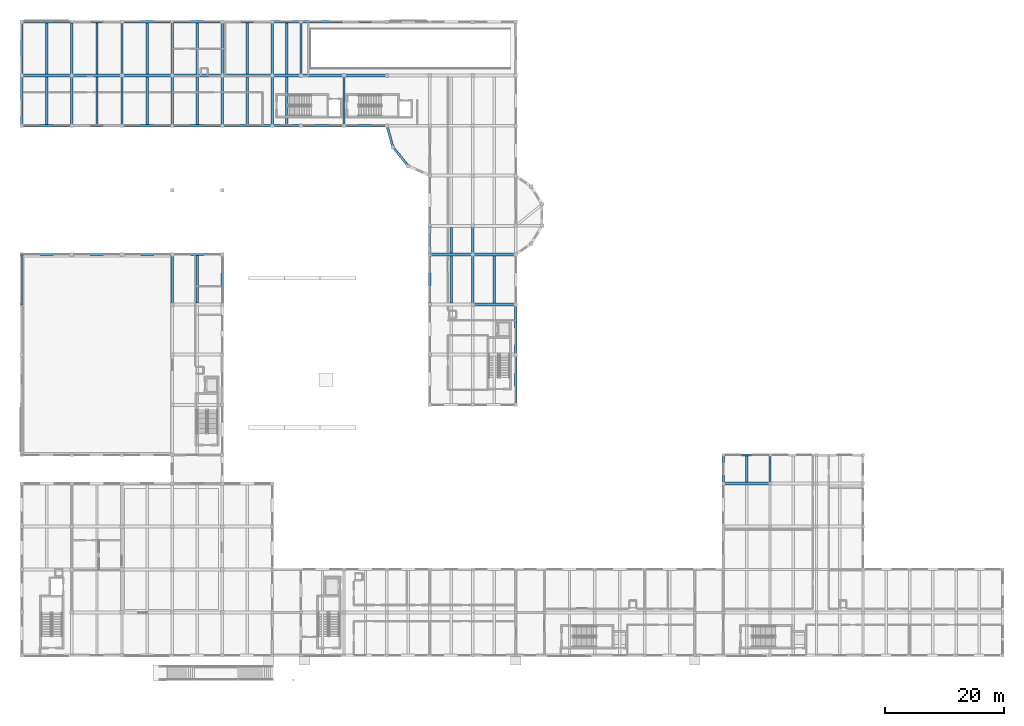
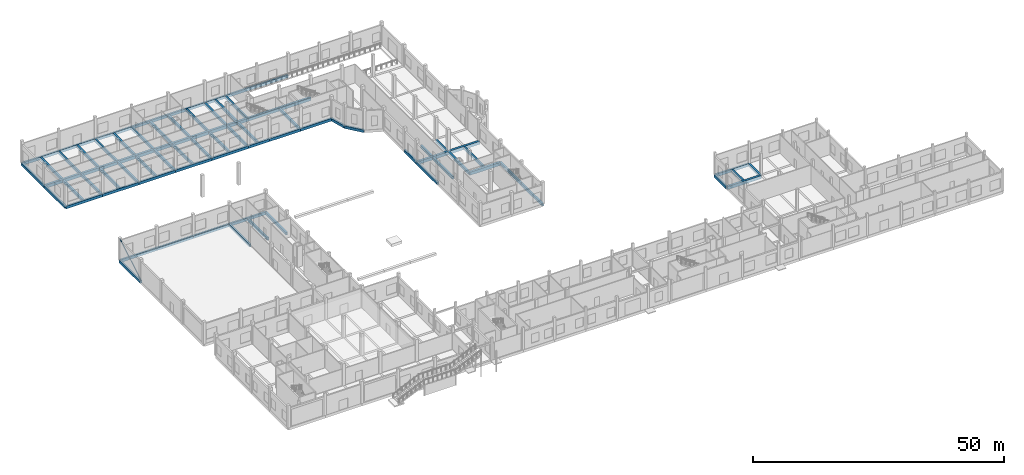
# One storey, part 11 of 41: 77 beams, 1 member.
"""IFC4 building model written with IfcOpenShell, lengths in metres."""

from ifc_helpers import new_model, si_unit, direction, frame, origin, origin_2d, place, context, subcontext, project, spatial, rectangle, hollow_circle, extrude, material, material_profile, profile_set, type_object, element, save


model = new_model("IFC4")

# Units and contexts
model_context = context("Model", 3, precision=1e-05, world=origin(), true_north=direction((0.0, 1.0)))
body_context = subcontext(model_context, "Body", "Model", "MODEL_VIEW")
ifc_project = project(units=[si_unit("LENGTHUNIT", "METRE"), si_unit("AREAUNIT", "SQUARE_METRE"), si_unit("VOLUMEUNIT", "CUBIC_METRE"), si_unit("PLANEANGLEUNIT", "RADIAN"), si_unit("MASSUNIT", "GRAM", prefix="KILO")], contexts=[model_context])

# Site, building, storey
site_placement = place(None, origin())
site = spatial("IfcSite", under=ifc_project, at=site_placement, CompositionType="ELEMENT")
building_placement = place(site_placement, origin())
building = spatial("IfcBuilding", under=site, at=building_placement, Name="Kahlenmark Community Centre", CompositionType="ELEMENT")
storey_placement = place(building_placement, origin())
storey = spatial("IfcBuildingStorey", under=building, at=storey_placement, Name="L00", CompositionType="ELEMENT", Elevation=0.0)

# Beams
ifc_material_1 = material(Name="Concrete C35/45", Category="concrete")
ifc_material_profile_1 = material_profile(ifc_material_1, rectangle(XDim=0.39990234375, YDim=0.64990234375, at=origin_2d()), Name="RC 400x650")
ifc_profile_set_1 = profile_set([ifc_material_profile_1], Name="Concrete C35/45")
beam_type_1 = type_object("IfcBeamType", Name="BT-BEAM-RC400x650", PredefinedType="BEAM", material=ifc_profile_set_1)
for number, where, z_axis, x_axis, name in (
    (1, (29.199951171875, 67.60009765625, -0.324951171875), (0.0, 1.0, 0.0), (-1.0, 0.0, 0.0), "L00 beam BG-RC400x650"),
    (2, (12.39990234375, 97.60009765625, -0.324951171875), (0.0, 1.0, 0.0), (-1.0, 0.0, 0.0), "L00 beam BG-RC400x650"),
):
    element("IfcBeam", number, at=place(storey_placement, frame(where, z_axis=z_axis, x_axis=x_axis)), inside=storey, type_object=beam_type_1, Name=name, PredefinedType="BEAM", context=body_context, shape_type="SweptSolid", body=[
        extrude(rectangle(XDim=0.39990234375, YDim=0.64990234375, at=origin_2d()), origin(), (0.0, 0.0, 1.0), 8.39990234375),
    ])
beam_1_placement = place(storey_placement, frame((12.39990234375, 106.0, -0.324951171875), z_axis=(0.0, 1.0, 0.0), x_axis=(-1.0, 0.0, 0.0)))
element("IfcBeam", 3, at=beam_1_placement, inside=storey, type_object=beam_type_1, Name="L00 beam BG-RC400x650", PredefinedType="BEAM", context=body_context, shape_type="SweptSolid", body=[
    extrude(rectangle(XDim=0.39990234375, YDim=0.64990234375, at=origin_2d()), origin(), (0.0, 0.0, 1.0), 9.0),
])
beam_2_placement = place(storey_placement, frame((20.800048828125, 97.60009765625, -0.324951171875), z_axis=(0.0, 1.0, 0.0), x_axis=(-1.0, 0.0, 0.0)))
element("IfcBeam", 4, at=beam_2_placement, inside=storey, type_object=beam_type_1, Name="L00 beam BG-RC400x650", PredefinedType="BEAM", context=body_context, shape_type="SweptSolid", body=[
    extrude(rectangle(XDim=0.39990234375, YDim=0.64990234375, at=origin_2d()), origin(), (0.0, 0.0, 1.0), 8.39990234375),
])
beam_3_placement = place(storey_placement, frame((20.800048828125, 106.0, -0.324951171875), z_axis=(0.0, 1.0, 0.0), x_axis=(-1.0, 0.0, 0.0)))
element("IfcBeam", 5, at=beam_3_placement, inside=storey, type_object=beam_type_1, Name="L00 beam BG-RC400x650", PredefinedType="BEAM", context=body_context, shape_type="SweptSolid", body=[
    extrude(rectangle(XDim=0.39990234375, YDim=0.64990234375, at=origin_2d()), origin(), (0.0, 0.0, 1.0), 9.0),
])
beam_4_placement = place(storey_placement, frame((29.199951171875, 97.60009765625, -0.324951171875), z_axis=(0.0, 1.0, 0.0), x_axis=(-1.0, 0.0, 0.0)))
element("IfcBeam", 6, at=beam_4_placement, inside=storey, type_object=beam_type_1, Name="L00 beam BG-RC400x650", PredefinedType="BEAM", context=body_context, shape_type="SweptSolid", body=[
    extrude(rectangle(XDim=0.39990234375, YDim=0.64990234375, at=origin_2d()), origin(), (0.0, 0.0, 1.0), 8.39990234375),
])
beam_5_placement = place(storey_placement, frame((29.199951171875, 106.0, -0.324951171875), z_axis=(0.0, 1.0, 0.0), x_axis=(-1.0, 0.0, 0.0)))
element("IfcBeam", 7, at=beam_5_placement, inside=storey, type_object=beam_type_1, Name="L00 beam BG-RC400x650", PredefinedType="BEAM", context=body_context, shape_type="SweptSolid", body=[
    extrude(rectangle(XDim=0.39990234375, YDim=0.64990234375, at=origin_2d()), origin(), (0.0, 0.0, 1.0), 9.0),
])
beam_6_placement = place(storey_placement, frame((37.60009765625, 97.60009765625, -0.324951171875), z_axis=(0.0, 1.0, 0.0), x_axis=(-1.0, 0.0, 0.0)))
element("IfcBeam", 8, at=beam_6_placement, inside=storey, type_object=beam_type_1, Name="L00 beam BG-RC400x650", PredefinedType="BEAM", context=body_context, shape_type="SweptSolid", body=[
    extrude(rectangle(XDim=0.39990234375, YDim=0.64990234375, at=origin_2d()), origin(), (0.0, 0.0, 1.0), 8.39990234375),
])
beam_7_placement = place(storey_placement, frame((37.60009765625, 106.0, -0.324951171875), z_axis=(0.0, 1.0, 0.0), x_axis=(-1.0, 0.0, 0.0)))
element("IfcBeam", 9, at=beam_7_placement, inside=storey, type_object=beam_type_1, Name="L00 beam BG-RC400x650", PredefinedType="BEAM", context=body_context, shape_type="SweptSolid", body=[
    extrude(rectangle(XDim=0.39990234375, YDim=0.64990234375, at=origin_2d()), origin(), (0.0, 0.0, 1.0), 9.0),
])
beam_8_placement = place(storey_placement, frame((46.0, 97.60009765625, -0.324951171875), z_axis=(0.0, 1.0, 0.0), x_axis=(-1.0, 0.0, 0.0)))
element("IfcBeam", 10, at=beam_8_placement, inside=storey, type_object=beam_type_1, Name="L00 beam BG-RC400x650", PredefinedType="BEAM", context=body_context, shape_type="SweptSolid", body=[
    extrude(rectangle(XDim=0.39990234375, YDim=0.64990234375, at=origin_2d()), origin(), (0.0, 0.0, 1.0), 8.39990234375),
])
for number, where, z_axis, x_axis, name in (
    (11, (46.0, 106.0, -0.324951171875), (0.0, 1.0, 0.0), (-1.0, 0.0, 0.0), "L00 beam BG-RC400x650"),
    (12, (50.800048828125, 106.0, -0.324951171875), (0.0, 1.0, 0.0), (-1.0, 0.0, 0.0), "L00 beam BG-RC400x650"),
):
    element("IfcBeam", number, at=place(storey_placement, frame(where, z_axis=z_axis, x_axis=x_axis)), inside=storey, type_object=beam_type_1, Name=name, PredefinedType="BEAM", context=body_context, shape_type="SweptSolid", body=[
        extrude(rectangle(XDim=0.39990234375, YDim=0.64990234375, at=origin_2d()), origin(), (0.0, 0.0, 1.0), 9.0),
    ])
for number, where, z_axis, x_axis, name in (
    (13, (58.0, 97.60009765625, -0.324951171875), (0.0, 1.0, 0.0), (-1.0, 0.0, 0.0), "L00 beam BG-RC400x650"),
    (14, (79.60009765625, 67.60009765625, -0.324951171875), (0.0, 1.0, 0.0), (-1.0, 0.0, 0.0), "L00 beam BG-RC400x650"),
):
    element("IfcBeam", number, at=place(storey_placement, frame(where, z_axis=z_axis, x_axis=x_axis)), inside=storey, type_object=beam_type_1, Name=name, PredefinedType="BEAM", context=body_context, shape_type="SweptSolid", body=[
        extrude(rectangle(XDim=0.39990234375, YDim=0.64990234375, at=origin_2d()), origin(), (0.0, 0.0, 1.0), 8.39990234375),
    ])
beam_9_placement = place(storey_placement, frame((79.60009765625, 76.0, -0.324951171875), z_axis=(0.0, 1.0, 0.0), x_axis=(-1.0, 0.0, 0.0)))
element("IfcBeam", 15, at=beam_9_placement, inside=storey, type_object=beam_type_1, Name="L00 beam BG-RC400x650", PredefinedType="BEAM", context=body_context, shape_type="SweptSolid", body=[
    extrude(rectangle(XDim=0.39990234375, YDim=0.64990234375, at=origin_2d()), origin(), (0.0, 0.0, 1.0), 4.800048828125),
])
beam_10_placement = place(storey_placement, frame((129.39990234375, 37.60009765625, -0.324951171875), z_axis=(0.0, 1.0, 0.0), x_axis=(-1.0, 0.0, 0.0)))
element("IfcBeam", 16, at=beam_10_placement, inside=storey, type_object=beam_type_1, Name="L00 beam BG-RC400x650", PredefinedType="BEAM", context=body_context, shape_type="SweptSolid", body=[
    extrude(rectangle(XDim=0.39990234375, YDim=0.64990234375, at=origin_2d()), origin(), (0.0, 0.0, 1.0), 4.7998046875),
])
ifc_material_profile_2 = material_profile(ifc_material_1, rectangle(XDim=0.5, YDim=0.75, at=origin_2d()), Name="RC 500x750")
ifc_profile_set_2 = profile_set([ifc_material_profile_2], Name="Concrete C35/45")
beam_type_2 = type_object("IfcBeamType", Name="BT-BEAM-RC500x750", PredefinedType="BEAM", material=ifc_profile_set_2)
beam_11_placement = place(storey_placement, frame((4.0, 106.0, -0.375), z_axis=(1.0, 0.0, 0.0), x_axis=(0.0, 1.0, 0.0)))
element("IfcBeam", 17, at=beam_11_placement, inside=storey, type_object=beam_type_2, Name="L00 beam BG-RC500x750", PredefinedType="BEAM", context=body_context, shape_type="SweptSolid", body=[
    extrude(rectangle(XDim=0.5, YDim=0.75, at=origin_2d()), origin(), (0.0, 0.0, 1.0), 8.39990234375),
])
beam_12_placement = place(storey_placement, frame((12.39990234375, 106.0, -0.375), z_axis=(1.0, 0.0, 0.0), x_axis=(0.0, 1.0, 0.0)))
element("IfcBeam", 18, at=beam_12_placement, inside=storey, type_object=beam_type_2, Name="L00 beam BG-RC500x750", PredefinedType="BEAM", context=body_context, shape_type="SweptSolid", body=[
    extrude(rectangle(XDim=0.5, YDim=0.75, at=origin_2d()), origin(), (0.0, 0.0, 1.0), 8.400146484375),
])
beam_13_placement = place(storey_placement, frame((20.800048828125, 106.0, -0.375), z_axis=(1.0, 0.0, 0.0), x_axis=(0.0, 1.0, 0.0)))
element("IfcBeam", 19, at=beam_13_placement, inside=storey, type_object=beam_type_2, Name="L00 beam BG-RC500x750", PredefinedType="BEAM", context=body_context, shape_type="SweptSolid", body=[
    extrude(rectangle(XDim=0.5, YDim=0.75, at=origin_2d()), origin(), (0.0, 0.0, 1.0), 8.39990234375),
])
beam_14_placement = place(storey_placement, frame((29.199951171875, 106.0, -0.375), z_axis=(1.0, 0.0, 0.0), x_axis=(0.0, 1.0, 0.0)))
element("IfcBeam", 20, at=beam_14_placement, inside=storey, type_object=beam_type_2, Name="L00 beam BG-RC500x750", PredefinedType="BEAM", context=body_context, shape_type="SweptSolid", body=[
    extrude(rectangle(XDim=0.5, YDim=0.75, at=origin_2d()), origin(), (0.0, 0.0, 1.0), 8.400146484375),
])
beam_15_placement = place(storey_placement, frame((37.60009765625, 106.0, -0.375), z_axis=(1.0, 0.0, 0.0), x_axis=(0.0, 1.0, 0.0)))
element("IfcBeam", 21, at=beam_15_placement, inside=storey, type_object=beam_type_2, Name="L00 beam BG-RC500x750", PredefinedType="BEAM", context=body_context, shape_type="SweptSolid", body=[
    extrude(rectangle(XDim=0.5, YDim=0.75, at=origin_2d()), origin(), (0.0, 0.0, 1.0), 8.39990234375),
])
beam_16_placement = place(storey_placement, frame((46.0, 106.0, -0.375), z_axis=(1.0, 0.0, 0.0), x_axis=(0.0, 1.0, 0.0)))
element("IfcBeam", 22, at=beam_16_placement, inside=storey, type_object=beam_type_2, Name="L00 beam BG-RC500x750", PredefinedType="BEAM", context=body_context, shape_type="SweptSolid", body=[
    extrude(rectangle(XDim=0.5, YDim=0.75, at=origin_2d()), origin(), (0.0, 0.0, 1.0), 4.800048828125),
])
for number, where, z_axis, x_axis, name in (
    (23, (50.800048828125, 106.0, -0.375), (1.0, 0.0, 0.0), (0.0, 1.0, 0.0), "L00 beam BG-RC500x750"),
    (24, (58.0, 106.0, -0.375), (1.0, 0.0, 0.0), (0.0, 1.0, 0.0), "L00 beam BG-RC500x750"),
    (25, (79.60009765625, 67.60009765625, -0.375), (1.0, 0.0, 0.0), (0.0, 1.0, 0.0), "L00 beam BG-RC500x750"),
):
    element("IfcBeam", number, at=place(storey_placement, frame(where, z_axis=z_axis, x_axis=x_axis)), inside=storey, type_object=beam_type_2, Name=name, PredefinedType="BEAM", context=body_context, shape_type="SweptSolid", body=[
        extrude(rectangle(XDim=0.5, YDim=0.75, at=origin_2d()), origin(), (0.0, 0.0, 1.0), 7.199951171875),
    ])
beam_17_placement = place(storey_placement, frame((72.39990234375, 76.0, -0.375), z_axis=(1.0, 0.0, 0.0), x_axis=(0.0, 1.0, 0.0)))
element("IfcBeam", 26, at=beam_17_placement, inside=storey, type_object=beam_type_2, Name="L00 beam BG-RC500x750", PredefinedType="BEAM", context=body_context, shape_type="SweptSolid", body=[
    extrude(rectangle(XDim=0.5, YDim=0.75, at=origin_2d()), origin(), (0.0, 0.0, 1.0), 7.2001953125),
])
beam_18_placement = place(storey_placement, frame((79.60009765625, 76.0, -0.375), z_axis=(1.0, 0.0, 0.0), x_axis=(0.0, 1.0, 0.0)))
element("IfcBeam", 27, at=beam_18_placement, inside=storey, type_object=beam_type_2, Name="L00 beam BG-RC500x750", PredefinedType="BEAM", context=body_context, shape_type="SweptSolid", body=[
    extrude(rectangle(XDim=0.5, YDim=0.75, at=origin_2d()), origin(), (0.0, 0.0, 1.0), 7.199951171875),
])
beam_19_placement = place(storey_placement, frame((121.60009765625, 37.60009765625, -0.375), z_axis=(1.0, 0.0, 0.0), x_axis=(0.0, 1.0, 0.0)))
element("IfcBeam", 28, at=beam_19_placement, inside=storey, type_object=beam_type_2, Name="L00 beam BG-RC500x750", PredefinedType="BEAM", context=body_context, shape_type="SweptSolid", body=[
    extrude(rectangle(XDim=0.5, YDim=0.75, at=origin_2d()), origin(), (0.0, 0.0, 1.0), 7.7998046875),
])
ifc_material_profile_3 = material_profile(ifc_material_1, rectangle(XDim=0.39990234375, YDim=0.64990234375, at=origin_2d()), Name="RC 400x650")
ifc_profile_set_3 = profile_set([ifc_material_profile_3], Name="Concrete C35/45")
beam_type_3 = type_object("IfcBeamType", Name="BT-JOIST-RC400x650", PredefinedType="JOIST", material=ifc_profile_set_3)
beam_20_placement = place(storey_placement, frame((33.39990234375, 67.847900390625, -0.324951171875), z_axis=(0.0, 1.0, 0.0), x_axis=(-1.0, 0.0, 0.0)))
element("IfcBeam", 29, at=beam_20_placement, inside=storey, type_object=beam_type_3, Name="L00 joist BJ-RC400x650", PredefinedType="JOIST", context=body_context, shape_type="SweptSolid", body=[
    extrude(rectangle(XDim=0.39990234375, YDim=0.64990234375, at=origin_2d()), origin(), (0.0, 0.0, 1.0), 7.9541015625),
])
beam_21_placement = place(storey_placement, frame((8.199951171875, 97.798095703125, -0.324951171875), z_axis=(0.0, 1.0, 0.0), x_axis=(-1.0, 0.0, 0.0)))
element("IfcBeam", 30, at=beam_21_placement, inside=storey, type_object=beam_type_3, Name="L00 joist BJ-RC400x650", PredefinedType="JOIST", context=body_context, shape_type="SweptSolid", body=[
    extrude(rectangle(XDim=0.39990234375, YDim=0.64990234375, at=origin_2d()), origin(), (0.0, 0.0, 1.0), 7.953857421875),
])
beam_22_placement = place(storey_placement, frame((8.199951171875, 106.248046875, -0.324951171875), z_axis=(0.0, 1.0, 0.0), x_axis=(-1.0, 0.0, 0.0)))
element("IfcBeam", 31, at=beam_22_placement, inside=storey, type_object=beam_type_3, Name="L00 joist BJ-RC400x650", PredefinedType="JOIST", context=body_context, shape_type="SweptSolid", body=[
    extrude(rectangle(XDim=0.39990234375, YDim=0.64990234375, at=origin_2d()), origin(), (0.0, 0.0, 1.0), 8.553955078125),
])
beam_23_placement = place(storey_placement, frame((16.60009765625, 97.798095703125, -0.324951171875), z_axis=(0.0, 1.0, 0.0), x_axis=(-1.0, 0.0, 0.0)))
element("IfcBeam", 32, at=beam_23_placement, inside=storey, type_object=beam_type_3, Name="L00 joist BJ-RC400x650", PredefinedType="JOIST", context=body_context, shape_type="SweptSolid", body=[
    extrude(rectangle(XDim=0.39990234375, YDim=0.64990234375, at=origin_2d()), origin(), (0.0, 0.0, 1.0), 7.953857421875),
])
beam_24_placement = place(storey_placement, frame((16.60009765625, 106.248046875, -0.324951171875), z_axis=(0.0, 1.0, 0.0), x_axis=(-1.0, 0.0, 0.0)))
element("IfcBeam", 33, at=beam_24_placement, inside=storey, type_object=beam_type_3, Name="L00 joist BJ-RC400x650", PredefinedType="JOIST", context=body_context, shape_type="SweptSolid", body=[
    extrude(rectangle(XDim=0.39990234375, YDim=0.64990234375, at=origin_2d()), origin(), (0.0, 0.0, 1.0), 8.553955078125),
])
beam_25_placement = place(storey_placement, frame((25.0, 97.798095703125, -0.324951171875), z_axis=(0.0, 1.0, 0.0), x_axis=(-1.0, 0.0, 0.0)))
element("IfcBeam", 34, at=beam_25_placement, inside=storey, type_object=beam_type_3, Name="L00 joist BJ-RC400x650", PredefinedType="JOIST", context=body_context, shape_type="SweptSolid", body=[
    extrude(rectangle(XDim=0.39990234375, YDim=0.64990234375, at=origin_2d()), origin(), (0.0, 0.0, 1.0), 7.953857421875),
])
beam_26_placement = place(storey_placement, frame((25.0, 106.248046875, -0.324951171875), z_axis=(0.0, 1.0, 0.0), x_axis=(-1.0, 0.0, 0.0)))
element("IfcBeam", 35, at=beam_26_placement, inside=storey, type_object=beam_type_3, Name="L00 joist BJ-RC400x650", PredefinedType="JOIST", context=body_context, shape_type="SweptSolid", body=[
    extrude(rectangle(XDim=0.39990234375, YDim=0.64990234375, at=origin_2d()), origin(), (0.0, 0.0, 1.0), 8.553955078125),
])
beam_27_placement = place(storey_placement, frame((33.39990234375, 97.798095703125, -0.324951171875), z_axis=(0.0, 1.0, 0.0), x_axis=(-1.0, 0.0, 0.0)))
element("IfcBeam", 36, at=beam_27_placement, inside=storey, type_object=beam_type_3, Name="L00 joist BJ-RC400x650", PredefinedType="JOIST", context=body_context, shape_type="SweptSolid", body=[
    extrude(rectangle(XDim=0.39990234375, YDim=0.64990234375, at=origin_2d()), origin(), (0.0, 0.0, 1.0), 7.953857421875),
])
beam_28_placement = place(storey_placement, frame((33.39990234375, 106.248046875, -0.324951171875), z_axis=(0.0, 1.0, 0.0), x_axis=(-1.0, 0.0, 0.0)))
element("IfcBeam", 37, at=beam_28_placement, inside=storey, type_object=beam_type_3, Name="L00 joist BJ-RC400x650", PredefinedType="JOIST", context=body_context, shape_type="SweptSolid", body=[
    extrude(rectangle(XDim=0.39990234375, YDim=0.64990234375, at=origin_2d()), origin(), (0.0, 0.0, 1.0), 8.553955078125),
])
beam_29_placement = place(storey_placement, frame((41.800048828125, 97.798095703125, -0.324951171875), z_axis=(0.0, 1.0, 0.0), x_axis=(-1.0, 0.0, 0.0)))
element("IfcBeam", 38, at=beam_29_placement, inside=storey, type_object=beam_type_3, Name="L00 joist BJ-RC400x650", PredefinedType="JOIST", context=body_context, shape_type="SweptSolid", body=[
    extrude(rectangle(XDim=0.39990234375, YDim=0.64990234375, at=origin_2d()), origin(), (0.0, 0.0, 1.0), 7.953857421875),
])
beam_30_placement = place(storey_placement, frame((41.800048828125, 106.248046875, -0.324951171875), z_axis=(0.0, 1.0, 0.0), x_axis=(-1.0, 0.0, 0.0)))
element("IfcBeam", 39, at=beam_30_placement, inside=storey, type_object=beam_type_3, Name="L00 joist BJ-RC400x650", PredefinedType="JOIST", context=body_context, shape_type="SweptSolid", body=[
    extrude(rectangle(XDim=0.39990234375, YDim=0.64990234375, at=origin_2d()), origin(), (0.0, 0.0, 1.0), 8.553955078125),
])
beam_31_placement = place(storey_placement, frame((48.39990234375, 97.798095703125, -0.324951171875), z_axis=(0.0, 1.0, 0.0), x_axis=(-1.0, 0.0, 0.0)))
element("IfcBeam", 40, at=beam_31_placement, inside=storey, type_object=beam_type_3, Name="L00 joist BJ-RC400x650", PredefinedType="JOIST", context=body_context, shape_type="SweptSolid", body=[
    extrude(rectangle(XDim=0.39990234375, YDim=0.64990234375, at=origin_2d()), origin(), (0.0, 0.0, 1.0), 7.953857421875),
])
beam_32_placement = place(storey_placement, frame((48.39990234375, 106.248046875, -0.324951171875), z_axis=(0.0, 1.0, 0.0), x_axis=(-1.0, 0.0, 0.0)))
element("IfcBeam", 41, at=beam_32_placement, inside=storey, type_object=beam_type_3, Name="L00 joist BJ-RC400x650", PredefinedType="JOIST", context=body_context, shape_type="SweptSolid", body=[
    extrude(rectangle(XDim=0.39990234375, YDim=0.64990234375, at=origin_2d()), origin(), (0.0, 0.0, 1.0), 8.553955078125),
])
beam_33_placement = place(storey_placement, frame((76.0, 67.847900390625, -0.324951171875), z_axis=(0.0, 1.0, 0.0), x_axis=(-1.0, 0.0, 0.0)))
element("IfcBeam", 42, at=beam_33_placement, inside=storey, type_object=beam_type_3, Name="L00 joist BJ-RC400x650", PredefinedType="JOIST", context=body_context, shape_type="SweptSolid", body=[
    extrude(rectangle(XDim=0.39990234375, YDim=0.64990234375, at=origin_2d()), origin(), (0.0, 0.0, 1.0), 7.904052734375),
])
beam_34_placement = place(storey_placement, frame((76.0, 76.248046875, -0.324951171875), z_axis=(0.0, 1.0, 0.0), x_axis=(-1.0, 0.0, 0.0)))
element("IfcBeam", 43, at=beam_34_placement, inside=storey, type_object=beam_type_3, Name="L00 joist BJ-RC400x650", PredefinedType="JOIST", context=body_context, shape_type="SweptSolid", body=[
    extrude(rectangle(XDim=0.39990234375, YDim=0.64990234375, at=origin_2d()), origin(), (0.0, 0.0, 1.0), 4.303955078125),
])
beam_35_placement = place(storey_placement, frame((83.199951171875, 67.847900390625, -0.324951171875), z_axis=(0.0, 1.0, 0.0), x_axis=(-1.0, 0.0, 0.0)))
element("IfcBeam", 44, at=beam_35_placement, inside=storey, type_object=beam_type_3, Name="L00 joist BJ-RC400x650", PredefinedType="JOIST", context=body_context, shape_type="SweptSolid", body=[
    extrude(rectangle(XDim=0.39990234375, YDim=0.64990234375, at=origin_2d()), origin(), (0.0, 0.0, 1.0), 7.904052734375),
])
beam_36_placement = place(storey_placement, frame((125.5, 37.847900390625, -0.324951171875), z_axis=(0.0, 1.0, 0.0), x_axis=(-1.0, 0.0, 0.0)))
element("IfcBeam", 45, at=beam_36_placement, inside=storey, type_object=beam_type_3, Name="L00 joist BJ-RC400x650", PredefinedType="JOIST", context=body_context, shape_type="SweptSolid", body=[
    extrude(rectangle(XDim=0.39990234375, YDim=0.64990234375, at=origin_2d()), origin(), (0.0, 0.0, 1.0), 4.35400390625),
])
ifc_material_profile_4 = material_profile(ifc_material_1, rectangle(XDim=0.39990234375, YDim=0.64990234375, at=origin_2d()), Name="RC 400x650")
ifc_profile_set_4 = profile_set([ifc_material_profile_4], Name="Concrete C35/45")
beam_type_4 = type_object("IfcBeamType", Name="BT-SPANDREL-RC400x650", PredefinedType="SPANDREL", material=ifc_profile_set_4)
beam_37_placement = place(storey_placement, frame((4.0, 76.0, -0.324951171875), z_axis=(1.0, 0.0, 0.0), x_axis=(0.0, 1.0, 0.0)))
element("IfcBeam", 46, at=beam_37_placement, inside=storey, type_object=beam_type_4, Name="L00 spandrel SP-RC400x650", PredefinedType="SPANDREL", context=body_context, shape_type="SweptSolid", body=[
    extrude(rectangle(XDim=0.39990234375, YDim=0.64990234375, at=origin_2d()), origin(), (0.0, 0.0, 1.0), 8.39990234375),
])
beam_38_placement = place(storey_placement, frame((12.39990234375, 76.0, -0.324951171875), z_axis=(1.0, 0.0, 0.0), x_axis=(0.0, 1.0, 0.0)))
element("IfcBeam", 47, at=beam_38_placement, inside=storey, type_object=beam_type_4, Name="L00 spandrel SP-RC400x650", PredefinedType="SPANDREL", context=body_context, shape_type="SweptSolid", body=[
    extrude(rectangle(XDim=0.39990234375, YDim=0.64990234375, at=origin_2d()), origin(), (0.0, 0.0, 1.0), 8.400146484375),
])
beam_39_placement = place(storey_placement, frame((20.800048828125, 76.0, -0.324951171875), z_axis=(1.0, 0.0, 0.0), x_axis=(0.0, 1.0, 0.0)))
element("IfcBeam", 48, at=beam_39_placement, inside=storey, type_object=beam_type_4, Name="L00 spandrel SP-RC400x650", PredefinedType="SPANDREL", context=body_context, shape_type="SweptSolid", body=[
    extrude(rectangle(XDim=0.39990234375, YDim=0.64990234375, at=origin_2d()), origin(), (0.0, 0.0, 1.0), 8.39990234375),
])
beam_40_placement = place(storey_placement, frame((29.199951171875, 76.0, -0.324951171875), z_axis=(1.0, 0.0, 0.0), x_axis=(0.0, 1.0, 0.0)))
element("IfcBeam", 49, at=beam_40_placement, inside=storey, type_object=beam_type_4, Name="L00 spandrel SP-RC400x650", PredefinedType="SPANDREL", context=body_context, shape_type="SweptSolid", body=[
    extrude(rectangle(XDim=0.39990234375, YDim=0.64990234375, at=origin_2d()), origin(), (0.0, 0.0, 1.0), 8.400146484375),
])
for number, where, z_axis, x_axis, name in (
    (50, (4.0, 67.60009765625, -0.324951171875), (0.0, 1.0, 0.0), (-1.0, 0.0, 0.0), "L00 spandrel SP-RC400x650"),
    (51, (37.60009765625, 67.60009765625, -0.324951171875), (0.0, 1.0, 0.0), (-1.0, 0.0, 0.0), "L00 spandrel SP-RC400x650"),
    (52, (4.0, 97.60009765625, -0.324951171875), (1.0, 0.0, 0.0), (0.0, 1.0, 0.0), "L00 spandrel SP-RC400x650"),
):
    element("IfcBeam", number, at=place(storey_placement, frame(where, z_axis=z_axis, x_axis=x_axis)), inside=storey, type_object=beam_type_4, Name=name, PredefinedType="SPANDREL", context=body_context, shape_type="SweptSolid", body=[
        extrude(rectangle(XDim=0.39990234375, YDim=0.64990234375, at=origin_2d()), origin(), (0.0, 0.0, 1.0), 8.39990234375),
    ])
beam_41_placement = place(storey_placement, frame((12.39990234375, 97.60009765625, -0.324951171875), z_axis=(1.0, 0.0, 0.0), x_axis=(0.0, 1.0, 0.0)))
element("IfcBeam", 53, at=beam_41_placement, inside=storey, type_object=beam_type_4, Name="L00 spandrel SP-RC400x650", PredefinedType="SPANDREL", context=body_context, shape_type="SweptSolid", body=[
    extrude(rectangle(XDim=0.39990234375, YDim=0.64990234375, at=origin_2d()), origin(), (0.0, 0.0, 1.0), 8.400146484375),
])
beam_42_placement = place(storey_placement, frame((20.800048828125, 97.60009765625, -0.324951171875), z_axis=(1.0, 0.0, 0.0), x_axis=(0.0, 1.0, 0.0)))
element("IfcBeam", 54, at=beam_42_placement, inside=storey, type_object=beam_type_4, Name="L00 spandrel SP-RC400x650", PredefinedType="SPANDREL", context=body_context, shape_type="SweptSolid", body=[
    extrude(rectangle(XDim=0.39990234375, YDim=0.64990234375, at=origin_2d()), origin(), (0.0, 0.0, 1.0), 8.39990234375),
])
beam_43_placement = place(storey_placement, frame((29.199951171875, 97.60009765625, -0.324951171875), z_axis=(1.0, 0.0, 0.0), x_axis=(0.0, 1.0, 0.0)))
element("IfcBeam", 55, at=beam_43_placement, inside=storey, type_object=beam_type_4, Name="L00 spandrel SP-RC400x650", PredefinedType="SPANDREL", context=body_context, shape_type="SweptSolid", body=[
    extrude(rectangle(XDim=0.39990234375, YDim=0.64990234375, at=origin_2d()), origin(), (0.0, 0.0, 1.0), 8.400146484375),
])
beam_44_placement = place(storey_placement, frame((37.60009765625, 97.60009765625, -0.324951171875), z_axis=(1.0, 0.0, 0.0), x_axis=(0.0, 1.0, 0.0)))
element("IfcBeam", 56, at=beam_44_placement, inside=storey, type_object=beam_type_4, Name="L00 spandrel SP-RC400x650", PredefinedType="SPANDREL", context=body_context, shape_type="SweptSolid", body=[
    extrude(rectangle(XDim=0.39990234375, YDim=0.64990234375, at=origin_2d()), origin(), (0.0, 0.0, 1.0), 8.39990234375),
])
beam_45_placement = place(storey_placement, frame((46.0, 97.60009765625, -0.324951171875), z_axis=(1.0, 0.0, 0.0), x_axis=(0.0, 1.0, 0.0)))
element("IfcBeam", 57, at=beam_45_placement, inside=storey, type_object=beam_type_4, Name="L00 spandrel SP-RC400x650", PredefinedType="SPANDREL", context=body_context, shape_type="SweptSolid", body=[
    extrude(rectangle(XDim=0.39990234375, YDim=0.64990234375, at=origin_2d()), origin(), (0.0, 0.0, 1.0), 4.800048828125),
])
for number, where, z_axis, x_axis, name in (
    (58, (50.800048828125, 97.60009765625, -0.324951171875), (1.0, 0.0, 0.0), (0.0, 1.0, 0.0), "L00 spandrel SP-RC400x650"),
    (59, (58.0, 97.60009765625, -0.324951171875), (1.0, 0.0, 0.0), (0.0, 1.0, 0.0), "L00 spandrel SP-RC400x650"),
):
    element("IfcBeam", number, at=place(storey_placement, frame(where, z_axis=z_axis, x_axis=x_axis)), inside=storey, type_object=beam_type_4, Name=name, PredefinedType="SPANDREL", context=body_context, shape_type="SweptSolid", body=[
        extrude(rectangle(XDim=0.39990234375, YDim=0.64990234375, at=origin_2d()), origin(), (0.0, 0.0, 1.0), 7.199951171875),
    ])
beam_46_placement = place(storey_placement, frame((4.0, 115.0, -0.324951171875), z_axis=(1.0, 0.0, 0.0), x_axis=(0.0, 1.0, 0.0)))
element("IfcBeam", 60, at=beam_46_placement, inside=storey, type_object=beam_type_4, Name="L00 spandrel SP-RC400x650", PredefinedType="SPANDREL", context=body_context, shape_type="SweptSolid", body=[
    extrude(rectangle(XDim=0.39990234375, YDim=0.64990234375, at=origin_2d()), origin(), (0.0, 0.0, 1.0), 8.39990234375),
])
beam_47_placement = place(storey_placement, frame((12.39990234375, 115.0, -0.324951171875), z_axis=(1.0, 0.0, 0.0), x_axis=(0.0, 1.0, 0.0)))
element("IfcBeam", 61, at=beam_47_placement, inside=storey, type_object=beam_type_4, Name="L00 spandrel SP-RC400x650", PredefinedType="SPANDREL", context=body_context, shape_type="SweptSolid", body=[
    extrude(rectangle(XDim=0.39990234375, YDim=0.64990234375, at=origin_2d()), origin(), (0.0, 0.0, 1.0), 8.400146484375),
])
beam_48_placement = place(storey_placement, frame((20.800048828125, 115.0, -0.324951171875), z_axis=(1.0, 0.0, 0.0), x_axis=(0.0, 1.0, 0.0)))
element("IfcBeam", 62, at=beam_48_placement, inside=storey, type_object=beam_type_4, Name="L00 spandrel SP-RC400x650", PredefinedType="SPANDREL", context=body_context, shape_type="SweptSolid", body=[
    extrude(rectangle(XDim=0.39990234375, YDim=0.64990234375, at=origin_2d()), origin(), (0.0, 0.0, 1.0), 8.39990234375),
])
beam_49_placement = place(storey_placement, frame((29.199951171875, 115.0, -0.324951171875), z_axis=(1.0, 0.0, 0.0), x_axis=(0.0, 1.0, 0.0)))
element("IfcBeam", 63, at=beam_49_placement, inside=storey, type_object=beam_type_4, Name="L00 spandrel SP-RC400x650", PredefinedType="SPANDREL", context=body_context, shape_type="SweptSolid", body=[
    extrude(rectangle(XDim=0.39990234375, YDim=0.64990234375, at=origin_2d()), origin(), (0.0, 0.0, 1.0), 8.400146484375),
])
beam_50_placement = place(storey_placement, frame((37.60009765625, 115.0, -0.324951171875), z_axis=(1.0, 0.0, 0.0), x_axis=(0.0, 1.0, 0.0)))
element("IfcBeam", 64, at=beam_50_placement, inside=storey, type_object=beam_type_4, Name="L00 spandrel SP-RC400x650", PredefinedType="SPANDREL", context=body_context, shape_type="SweptSolid", body=[
    extrude(rectangle(XDim=0.39990234375, YDim=0.64990234375, at=origin_2d()), origin(), (0.0, 0.0, 1.0), 8.39990234375),
])
beam_51_placement = place(storey_placement, frame((46.0, 115.0, -0.324951171875), z_axis=(1.0, 0.0, 0.0), x_axis=(0.0, 1.0, 0.0)))
element("IfcBeam", 65, at=beam_51_placement, inside=storey, type_object=beam_type_4, Name="L00 spandrel SP-RC400x650", PredefinedType="SPANDREL", context=body_context, shape_type="SweptSolid", body=[
    extrude(rectangle(XDim=0.39990234375, YDim=0.64990234375, at=origin_2d()), origin(), (0.0, 0.0, 1.0), 4.800048828125),
])
for number, where, z_axis, x_axis, name in (
    (66, (50.800048828125, 115.0, -0.324951171875), (1.0, 0.0, 0.0), (0.0, 1.0, 0.0), "L00 spandrel SP-RC400x650"),
    (67, (58.0, 115.0, -0.324951171875), (1.0, 0.0, 0.0), (0.0, 1.0, 0.0), "L00 spandrel SP-RC400x650"),
):
    element("IfcBeam", number, at=place(storey_placement, frame(where, z_axis=z_axis, x_axis=x_axis)), inside=storey, type_object=beam_type_4, Name=name, PredefinedType="SPANDREL", context=body_context, shape_type="SweptSolid", body=[
        extrude(rectangle(XDim=0.39990234375, YDim=0.64990234375, at=origin_2d()), origin(), (0.0, 0.0, 1.0), 7.199951171875),
    ])
beam_52_placement = place(storey_placement, frame((4.0, 97.60009765625, -0.324951171875), z_axis=(0.0, 1.0, 0.0), x_axis=(-1.0, 0.0, 0.0)))
element("IfcBeam", 68, at=beam_52_placement, inside=storey, type_object=beam_type_4, Name="L00 spandrel SP-RC400x650", PredefinedType="SPANDREL", context=body_context, shape_type="SweptSolid", body=[
    extrude(rectangle(XDim=0.39990234375, YDim=0.64990234375, at=origin_2d()), origin(), (0.0, 0.0, 1.0), 8.39990234375),
])
beam_53_placement = place(storey_placement, frame((4.0, 106.0, -0.324951171875), z_axis=(0.0, 1.0, 0.0), x_axis=(-1.0, 0.0, 0.0)))
element("IfcBeam", 69, at=beam_53_placement, inside=storey, type_object=beam_type_4, Name="L00 spandrel SP-RC400x650", PredefinedType="SPANDREL", context=body_context, shape_type="SweptSolid", body=[
    extrude(rectangle(XDim=0.39990234375, YDim=0.64990234375, at=origin_2d()), origin(), (0.0, 0.0, 1.0), 9.0),
])
beam_54_placement = place(storey_placement, frame((72.39990234375, 67.60009765625, -0.324951171875), z_axis=(0.0, 1.0, 0.0), x_axis=(-1.0, 0.0, 0.0)))
element("IfcBeam", 70, at=beam_54_placement, inside=storey, type_object=beam_type_4, Name="L00 spandrel SP-RC400x650", PredefinedType="SPANDREL", context=body_context, shape_type="SweptSolid", body=[
    extrude(rectangle(XDim=0.39990234375, YDim=0.64990234375, at=origin_2d()), origin(), (0.0, 0.0, 1.0), 8.39990234375),
])
beam_55_placement = place(storey_placement, frame((72.39990234375, 76.0, -0.324951171875), z_axis=(0.0, 1.0, 0.0), x_axis=(-1.0, 0.0, 0.0)))
element("IfcBeam", 71, at=beam_55_placement, inside=storey, type_object=beam_type_4, Name="L00 spandrel SP-RC400x650", PredefinedType="SPANDREL", context=body_context, shape_type="SweptSolid", body=[
    extrude(rectangle(XDim=0.39990234375, YDim=0.64990234375, at=origin_2d()), origin(), (0.0, 0.0, 1.0), 4.800048828125),
])
beam_56_placement = place(storey_placement, frame((86.800048828125, 50.800048828125, -0.324951171875), z_axis=(0.0, 1.0, 0.0), x_axis=(-1.0, 0.0, 0.0)))
element("IfcBeam", 72, at=beam_56_placement, inside=storey, type_object=beam_type_4, Name="L00 spandrel SP-RC400x650", PredefinedType="SPANDREL", context=body_context, shape_type="SweptSolid", body=[
    extrude(rectangle(XDim=0.39990234375, YDim=0.64990234375, at=origin_2d()), origin(), (0.0, 0.0, 1.0), 8.39990234375),
])
beam_57_placement = place(storey_placement, frame((86.800048828125, 59.199951171875, -0.324951171875), z_axis=(0.0, 1.0, 0.0), x_axis=(-1.0, 0.0, 0.0)))
element("IfcBeam", 73, at=beam_57_placement, inside=storey, type_object=beam_type_4, Name="L00 spandrel SP-RC400x650", PredefinedType="SPANDREL", context=body_context, shape_type="SweptSolid", body=[
    extrude(rectangle(XDim=0.39990234375, YDim=0.64990234375, at=origin_2d()), origin(), (0.0, 0.0, 1.0), 8.400146484375),
])
beam_58_placement = place(storey_placement, frame((121.60009765625, 42.39990234375, -0.324951171875), z_axis=(1.0, 0.0, 0.0), x_axis=(0.0, 1.0, 0.0)))
element("IfcBeam", 74, at=beam_58_placement, inside=storey, type_object=beam_type_4, Name="L00 spandrel SP-RC400x650", PredefinedType="SPANDREL", context=body_context, shape_type="SweptSolid", body=[
    extrude(rectangle(XDim=0.39990234375, YDim=0.64990234375, at=origin_2d()), origin(), (0.0, 0.0, 1.0), 7.7998046875),
])
beam_59_placement = place(storey_placement, frame((121.60009765625, 37.60009765625, -0.324951171875), z_axis=(0.0, 1.0, 0.0), x_axis=(-1.0, 0.0, 0.0)))
element("IfcBeam", 75, at=beam_59_placement, inside=storey, type_object=beam_type_4, Name="L00 spandrel SP-RC400x650", PredefinedType="SPANDREL", context=body_context, shape_type="SweptSolid", body=[
    extrude(rectangle(XDim=0.39990234375, YDim=0.64990234375, at=origin_2d()), origin(), (0.0, 0.0, 1.0), 4.7998046875),
])
beam_60_placement = place(storey_placement, frame((65.199951171875, 97.60009765625, -0.324951171875), z_axis=(0.267637123724, -0.963519781844, 0.0), x_axis=(0.963519781844, 0.267637123724, 0.0)))
element("IfcBeam", 76, at=beam_60_placement, inside=storey, type_object=beam_type_4, Name="L00 spandrel SP-RC400x650", PredefinedType="SPANDREL", context=body_context, shape_type="SweptSolid", body=[
    extrude(rectangle(XDim=0.39990234375, YDim=0.64990234375, at=origin_2d()), origin(), (0.0, 0.0, 1.0), 3.736328125),
])
beam_61_placement = place(storey_placement, frame((66.199951171875, 94.0, -0.324951171875), z_axis=(0.630612687458, -0.776097699015, 0.0), x_axis=(0.776097699015, 0.630612687458, 0.0)))
element("IfcBeam", 77, at=beam_61_placement, inside=storey, type_object=beam_type_4, Name="L00 spandrel SP-RC400x650", PredefinedType="SPANDREL", context=body_context, shape_type="SweptSolid", body=[
    extrude(rectangle(XDim=0.39990234375, YDim=0.64990234375, at=origin_2d()), origin(), (0.0, 0.0, 1.0), 4.123046875),
])

# Member
ifc_material_2 = material(Name="Steel S355", Category="steel")
ifc_material_profile_5 = material_profile(ifc_material_2, hollow_circle(Radius=0.109619140625, WallThickness=0.010009765625, at=origin_2d()), Name="CHS 219.1x10")
ifc_profile_set_5 = profile_set([ifc_material_profile_5], Name="Steel S355")
member_type = type_object("IfcMemberType", Name="MT-BRACE-CHS219.1x10", PredefinedType="BRACE", material=ifc_profile_set_5)
member_placement = place(storey_placement, frame((4.0, 67.60009765625, 0.14990234375), z_axis=(0.0, 0.861527117747, 0.50771155727), x_axis=(-1.0, 0.0, 0.0)))
element("IfcMember", 78, at=member_placement, inside=storey, type_object=member_type, Name="L00 brace BF-DIAG", PredefinedType="BRACE", context=body_context, shape_type="SweptSolid", body=[
    extrude(hollow_circle(Radius=0.109619140625, WallThickness=0.010009765625, at=origin_2d()), origin(), (0.0, 0.0, 1.0), 9.75),
])

save(model, "model.ifc")
